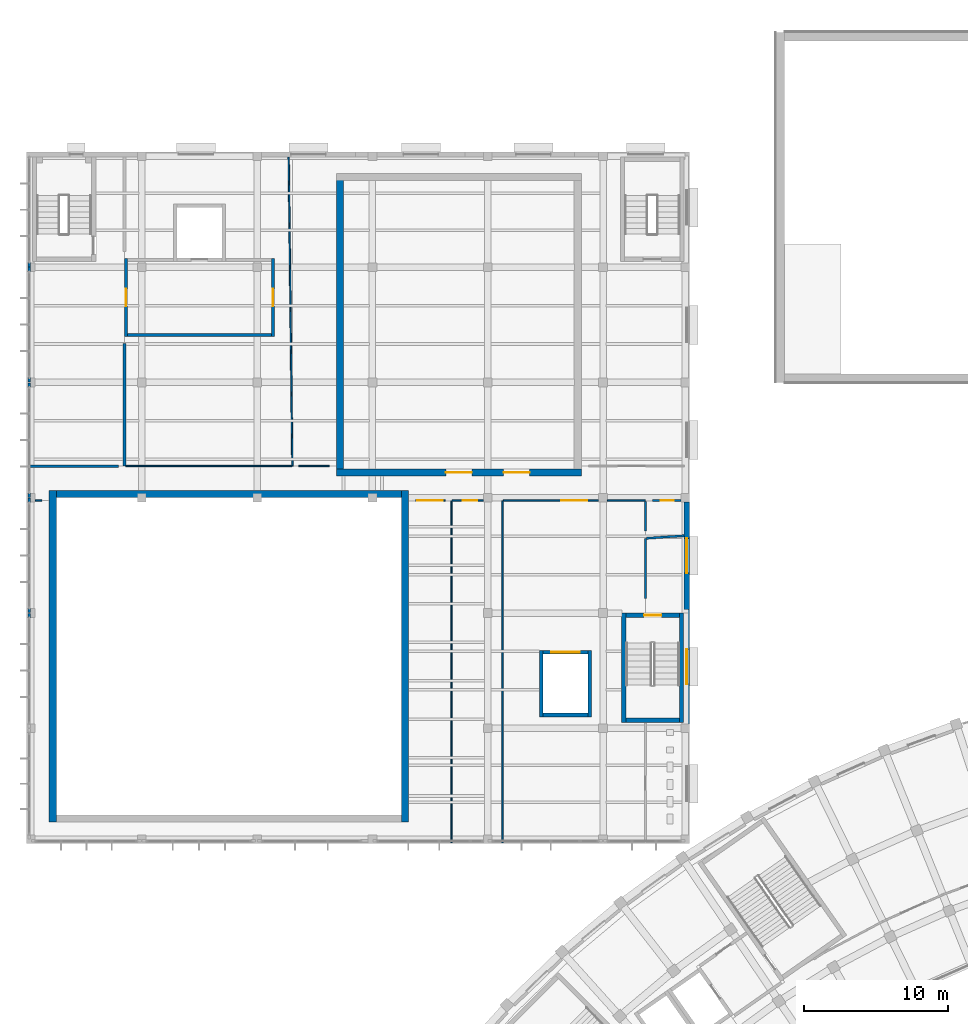
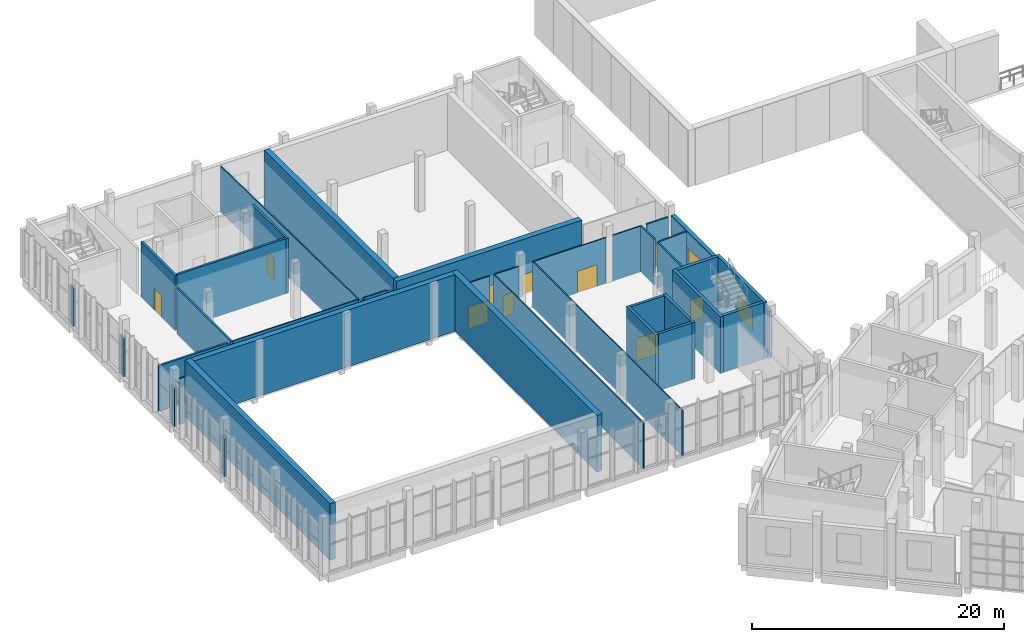
# One storey, part 57 of 112: 42 walls, 10 doors, 2 windows, 12 openings.
"""IFC4 building model written with IfcOpenShell, lengths in metres."""

from ifc_helpers import new_model, si_unit, direction, frame, frame_2d, origin, place, context, subcontext, project, spatial, rectangle, extrude, material, layer, layer_set, type_object, element, fill, save


model = new_model("IFC4")

# Units and contexts
model_context = context("Model", 3, precision=1e-05, world=origin(), true_north=direction((0.0, 1.0)))
body_context = subcontext(model_context, "Body", "Model", "MODEL_VIEW")
ifc_project = project(units=[si_unit("LENGTHUNIT", "METRE"), si_unit("AREAUNIT", "SQUARE_METRE"), si_unit("VOLUMEUNIT", "CUBIC_METRE"), si_unit("PLANEANGLEUNIT", "RADIAN"), si_unit("MASSUNIT", "GRAM", prefix="KILO")], contexts=[model_context])

# Site, building, storey
site_placement = place(None, origin())
site = spatial("IfcSite", under=ifc_project, at=site_placement, CompositionType="ELEMENT")
building_placement = place(site_placement, origin())
building = spatial("IfcBuilding", under=site, at=building_placement, Name="Lunette Opera House", CompositionType="ELEMENT")
storey_placement = place(building_placement, frame((0.0, 0.0, 6.0)))
storey = spatial("IfcBuildingStorey", under=building, at=storey_placement, Name="L01", CompositionType="ELEMENT", Elevation=6.0)

# Walls
ifc_material_1 = material(Name="Plastered clay blockwork", Category="masonry")
ifc_layer_1 = layer(ifc_material_1, 0.175048828125)
ifc_layer_set_1 = layer_set([ifc_layer_1], Name="Plastered clay blockwork")
wall_type_1 = type_object("IfcWallType", Name="ACOUSTIC BLOCK PARTITION 175", PredefinedType="PARTITIONING", material=ifc_layer_set_1)
wall_1_placement = place(storey_placement, frame((14.7939453125, 98.699951171875, 0.0), z_axis=(0.0, 0.0, 1.0), x_axis=(0.0, -1.0, 0.0)))
element("IfcWall", 1, at=wall_1_placement, inside=storey, type_object=wall_type_1, Name="Partition Ballet Studio 3", PredefinedType="PARTITIONING", context=body_context, shape_type="SweptSolid", body=[
    extrude(rectangle(XDim=8.5, YDim=0.175048828125, at=frame_2d((4.25, 0.0))), origin(), (0.0, 0.0, 1.0), 4.449951171875),
])
wall_2_placement = place(storey_placement, frame((14.382080078125, 90.199951171875, 0.0), z_axis=(0.0, 0.0, 1.0), x_axis=(-1.0, 0.0, 0.0)))
element("IfcWall", 2, at=wall_2_placement, inside=storey, type_object=wall_type_1, Name="Partition Corridor L01 Rehearsal", PredefinedType="PARTITIONING", context=body_context, shape_type="SweptSolid", body=[
    extrude(rectangle(XDim=6.33203125, YDim=0.175048828125, at=frame_2d((3.166015625, 0.0))), origin(), (0.0, 0.0, 1.0), 4.449951171875),
])
ifc_material_2 = material(Name="Plastered clay blockwork", Category="masonry")
ifc_layer_2 = layer(ifc_material_2, 0.14990234375)
ifc_layer_set_2 = layer_set([ifc_layer_2], Name="Plastered clay blockwork")
wall_type_2 = type_object("IfcWallType", Name="BLOCK PARTITION 150", PredefinedType="PARTITIONING", material=ifc_layer_set_2)
wall_3_placement = place(storey_placement, frame((50.94189453125, 85.18310546875, 0.0), z_axis=(0.0, 0.0, 1.0), x_axis=(0.0, -1.0, 0.0)))
element("IfcWall", 3, at=wall_3_placement, inside=storey, type_object=wall_type_2, Name="Partition Artists' WC", PredefinedType="PARTITIONING", context=body_context, shape_type="SweptSolid", body=[
    extrude(rectangle(XDim=4.18212890625, YDim=0.14990234375, at=frame_2d((2.091064453125, 0.0))), origin(), (0.0, 0.0, 1.0), 4.449951171875),
])
wall_4_placement = place(storey_placement, frame((53.635009765625, 85.366943359375, 0.0), z_axis=(0.0, 0.0, 1.0), x_axis=(-0.997541627846, -0.070076391993, 0.0)))
element("IfcWall", 4, at=wall_4_placement, inside=storey, type_object=wall_type_2, Name="Partition Artists' WC", PredefinedType="PARTITIONING", context=body_context, shape_type="SweptSolid", body=[
    extrude(rectangle(XDim=2.623291015625, YDim=0.14990234375, at=frame_2d((1.3115234375, 0.0))), origin(), (0.0, 0.0, 1.0), 4.449951171875),
])

# Wall, opening, door
wall_5_placement = place(storey_placement, frame((53.39990234375, 87.800048828125, 0.0), z_axis=(0.0, 0.0, 1.0), x_axis=(-1.0, 0.0, 0.0)))
wall_5 = element("IfcWall", 5, at=wall_5_placement, inside=storey, type_object=wall_type_2, Name="Partition Accessible WC L01 Rehearsal", PredefinedType="PARTITIONING", context=body_context, shape_type="SweptSolid", body=[
    extrude(rectangle(XDim=1.9580078125, YDim=0.14990234375, at=frame_2d((0.97900390625, 0.0))), origin(), (0.0, 0.0, 1.0), 4.449951171875),
])
opening_1_placement = place(wall_5_placement, frame((0.47900390625, 0.0, 0.0)))
opening_1 = element("IfcOpeningElement", 6, at=opening_1_placement, cuts=wall_5, Name="Opening RW-D3025", PredefinedType="OPENING", context=body_context, shape_type="SweptSolid", body=[
    extrude(rectangle(XDim=0.89990234375, YDim=2.10009765625, at=frame_2d((0.449951171875, 1.050048828125))), frame((0.0, 0.0869140625, 0.0), z_axis=(0.0, -1.0, 0.0), x_axis=(1.0, 0.0, 0.0)), (0.0, 0.0, 1.0), 0.173828125),
])
ifc_material_3 = material(Name="Timber", Category="wood")
door_type_1 = type_object("IfcDoorType", Name="FLUSH DOOR 900 X 2100", OperationType="SINGLE_SWING_LEFT", PredefinedType="DOOR", material=ifc_material_3)
door_1_placement = place(opening_1_placement, origin())
door_1 = element("IfcDoor", 7, at=door_1_placement, inside=storey, type_object=door_type_1, Name="Accessible WC L01 Rehearsal door", OperationType="SINGLE_SWING_LEFT", OverallHeight=2.10009765625, OverallWidth=0.89990234375, PredefinedType="DOOR", context=body_context, shape_type="SweptSolid", body=[
    extrude(rectangle(XDim=0.89990234375, YDim=2.10009765625, at=frame_2d((0.449951171875, 1.050048828125))), frame((0.0, 0.02490234375, 0.0), z_axis=(0.0, -1.0, 0.0), x_axis=(1.0, 0.0, 0.0)), (0.0, 0.0, 1.0), 0.050048828125),
])
fill(opening_1, door_1)

# Walls
wall_6_placement = place(storey_placement, frame((50.94189453125, 87.7490234375, 0.0), z_axis=(0.0, 0.0, 1.0), x_axis=(0.0, -1.0, 0.0)))
element("IfcWall", 8, at=wall_6_placement, inside=storey, type_object=wall_type_2, Name="Partition Accessible WC L01 Rehearsal", PredefinedType="PARTITIONING", context=body_context, shape_type="SweptSolid", body=[
    extrude(rectangle(XDim=2.06591796875, YDim=0.14990234375, at=frame_2d((1.032958984375, 0.0))), origin(), (0.0, 0.0, 1.0), 4.449951171875),
])
ifc_material_4 = material(Name="Insulated aluminium sandwich panel", Category="aluminium")
ifc_layer_3 = layer(ifc_material_4, 0.179931640625)
ifc_layer_set_3 = layer_set([ifc_layer_3], Name="Insulated aluminium sandwich panel")
wall_type_3 = type_object("IfcWallType", Name="CURTAIN WALL INFILL 180", PredefinedType="SOLIDWALL", material=ifc_layer_set_3)
for number, where, z_axis, x_axis, name in (
    (9, (8.181884765625, 104.330078125, 0.0), (0.0, 0.0, 1.0), (0.0, -1.0, 0.0), "Curtain Wall Infill 180 IN37 L01"),
    (10, (8.181884765625, 96.330078125, 0.0), (0.0, 0.0, 1.0), (0.0, -1.0, 0.0), "Curtain Wall Infill 180 IN38 L01"),
):
    element("IfcWall", number, at=place(storey_placement, frame(where, z_axis=z_axis, x_axis=x_axis)), inside=storey, type_object=wall_type_3, Name=name, PredefinedType="SOLIDWALL", context=body_context, shape_type="SweptSolid", body=[
        extrude(rectangle(XDim=0.30517578125, YDim=0.179931640625, at=frame_2d((0.152587890625, 0.0))), origin(), (0.0, 0.0, 1.0), 3.699951171875),
    ])
wall_7_placement = place(storey_placement, frame((8.181884765625, 103.696044921875, 0.0), z_axis=(0.0, 0.0, 1.0), x_axis=(0.0, 1.0, 0.0)))
element("IfcWall", 11, at=wall_7_placement, inside=storey, type_object=wall_type_3, Name="Curtain Wall Infill 180 IN39 L01", PredefinedType="SOLIDWALL", context=body_context, shape_type="SweptSolid", body=[
    extrude(rectangle(XDim=0.304931640625, YDim=0.179931640625, at=frame_2d((0.15234375, 0.0))), origin(), (0.0, 0.0, 1.0), 3.699951171875),
])
for number, where, z_axis, x_axis, name in (
    (12, (8.181884765625, 88.330078125, 0.0), (0.0, 0.0, 1.0), (0.0, -1.0, 0.0), "Curtain Wall Infill 180 IN40 L01"),
    (13, (8.181884765625, 95.669921875, 0.0), (0.0, 0.0, 1.0), (0.0, 1.0, 0.0), "Curtain Wall Infill 180 IN41 L01"),
    (14, (8.181884765625, 80.330078125, 0.0), (0.0, 0.0, 1.0), (0.0, -1.0, 0.0), "Curtain Wall Infill 180 IN42 L01"),
    (15, (8.181884765625, 87.669921875, 0.0), (0.0, 0.0, 1.0), (0.0, 1.0, 0.0), "Curtain Wall Infill 180 IN43 L01"),
    (16, (8.181884765625, 79.669921875, 0.0), (0.0, 0.0, 1.0), (0.0, 1.0, 0.0), "Curtain Wall Infill 180 IN45 L01"),
):
    element("IfcWall", number, at=place(storey_placement, frame(where, z_axis=z_axis, x_axis=x_axis)), inside=storey, type_object=wall_type_3, Name=name, PredefinedType="SOLIDWALL", context=body_context, shape_type="SweptSolid", body=[
        extrude(rectangle(XDim=0.30517578125, YDim=0.179931640625, at=frame_2d((0.152587890625, 0.0))), origin(), (0.0, 0.0, 1.0), 3.699951171875),
    ])

# Wall, opening, door
ifc_material_5 = material(Name="Concrete C35/45", Category="concrete")
ifc_layer_4 = layer(ifc_material_5, 0.199951171875)
ifc_layer_set_4 = layer_set([ifc_layer_4], Name="Concrete C35/45")
wall_type_4 = type_object("IfcWallType", Name="LOBBY WALL 200", PredefinedType="PARTITIONING", material=ifc_layer_set_4)
wall_8_placement = place(storey_placement, frame((25.10009765625, 99.199951171875, 0.0), z_axis=(0.0, 0.0, 1.0), x_axis=(0.0, 1.0, 0.0)))
wall_8 = element("IfcWall", 17, at=wall_8_placement, inside=storey, type_object=wall_type_4, Name="LL-R lobby wall 1a", PredefinedType="PARTITIONING", context=body_context, shape_type="SweptSolid", body=[
    extrude(rectangle(XDim=5.400146484375, YDim=0.199951171875, at=frame_2d((2.7001953125, 0.0))), origin(), (0.0, 0.0, 1.0), 5.35009765625),
])
opening_2_placement = place(wall_8_placement, frame((2.10009765625, 0.0, 0.0)))
opening_2 = element("IfcOpeningElement", 18, at=opening_2_placement, cuts=wall_8, Name="Opening RW-D7021", PredefinedType="OPENING", context=body_context, shape_type="SweptSolid", body=[
    extrude(rectangle(XDim=1.199951171875, YDim=2.10009765625, at=frame_2d((0.60009765625, 1.050048828125))), frame((0.0, 0.112060546875, 0.0), z_axis=(0.0, -1.0, 0.0), x_axis=(1.0, 0.0, 0.0)), (0.0, 0.0, 1.0), 0.223876953125),
])
ifc_material_6 = material(Name="Steel", Category="steel")
door_type_2 = type_object("IfcDoorType", Name="FIRE DOOR 1200 X 2100", OperationType="SINGLE_SWING_LEFT", PredefinedType="DOOR", material=ifc_material_6)
door_2_placement = place(opening_2_placement, origin())
door_2 = element("IfcDoor", 19, at=door_2_placement, inside=storey, type_object=door_type_2, Name="LL-R lobby door", OperationType="SINGLE_SWING_LEFT", OverallHeight=2.10009765625, OverallWidth=1.199951171875, PredefinedType="DOOR", context=body_context, shape_type="SweptSolid", body=[
    extrude(rectangle(XDim=1.199951171875, YDim=2.10009765625, at=frame_2d((0.60009765625, 1.050048828125))), frame((0.0, 0.02490234375, 0.0), z_axis=(0.0, -1.0, 0.0), x_axis=(1.0, 0.0, 0.0)), (0.0, 0.0, 1.0), 0.050048828125),
])
fill(opening_2, door_2)

wall_9_placement = place(storey_placement, frame((14.89990234375, 104.60009765625, 0.0), z_axis=(0.0, 0.0, 1.0), x_axis=(0.0, -1.0, 0.0)))
wall_9 = element("IfcWall", 20, at=wall_9_placement, inside=storey, type_object=wall_type_4, Name="LL-R lobby wall 3a", PredefinedType="PARTITIONING", context=body_context, shape_type="SweptSolid", body=[
    extrude(rectangle(XDim=5.400146484375, YDim=0.199951171875, at=frame_2d((2.7001953125, 0.0))), origin(), (0.0, 0.0, 1.0), 5.35009765625),
])
opening_3_placement = place(wall_9_placement, frame((2.10009765625, 0.0, 0.0)))
opening_3 = element("IfcOpeningElement", 21, at=opening_3_placement, cuts=wall_9, Name="Opening RW-D7022", PredefinedType="OPENING", context=body_context, shape_type="SweptSolid", body=[
    extrude(rectangle(XDim=1.199951171875, YDim=2.10009765625, at=frame_2d((0.60009765625, 1.050048828125))), frame((0.0, 0.112060546875, 0.0), z_axis=(0.0, -1.0, 0.0), x_axis=(1.0, 0.0, 0.0)), (0.0, 0.0, 1.0), 0.223876953125),
])
door_3_placement = place(opening_3_placement, origin())
door_3 = element("IfcDoor", 22, at=door_3_placement, inside=storey, type_object=door_type_2, Name="LL-R lobby door", OperationType="SINGLE_SWING_LEFT", OverallHeight=2.10009765625, OverallWidth=1.199951171875, PredefinedType="DOOR", context=body_context, shape_type="SweptSolid", body=[
    extrude(rectangle(XDim=1.199951171875, YDim=2.10009765625, at=frame_2d((0.60009765625, 1.050048828125))), frame((0.0, 0.02490234375, 0.0), z_axis=(0.0, -1.0, 0.0), x_axis=(1.0, 0.0, 0.0)), (0.0, 0.0, 1.0), 0.050048828125),
])
fill(opening_3, door_3)

# Walls
wall_10_placement = place(storey_placement, frame((15.0, 99.300048828125, 0.0), z_axis=(0.0, 0.0, 1.0), x_axis=(1.0, 0.0, 0.0)))
element("IfcWall", 23, at=wall_10_placement, inside=storey, type_object=wall_type_4, Name="LL-R lobby wall 4a", PredefinedType="PARTITIONING", context=body_context, shape_type="SweptSolid", body=[
    extrude(rectangle(XDim=10.0, YDim=0.199951171875, at=frame_2d((5.0, 0.0))), origin(), (0.0, 0.0, 1.0), 5.35009765625),
])
ifc_material_7 = material(Name="Concrete C35/45", Category="concrete")
ifc_layer_5 = layer(ifc_material_7, 0.25)
ifc_layer_set_5 = layer_set([ifc_layer_5], Name="Concrete C35/45")
wall_type_5 = type_object("IfcWallType", Name="RC LIFT SHAFT WALL 250", PredefinedType="SOLIDWALL", material=ifc_layer_set_5)
wall_11_placement = place(storey_placement, frame((47.074951171875, 72.800048828125, 0.0), z_axis=(0.0, 0.0, 1.0), x_axis=(0.0, 1.0, 0.0)))
element("IfcWall", 24, at=wall_11_placement, inside=storey, type_object=wall_type_5, Name="LG1 shaft wall 1", PredefinedType="SOLIDWALL", context=body_context, shape_type="SweptSolid", body=[
    extrude(rectangle(XDim=4.599853515625, YDim=0.25, at=frame_2d((2.2998046875, 0.0))), origin(), (0.0, 0.0, 1.0), 5.5),
])

# Wall, opening, door
wall_12_placement = place(storey_placement, frame((46.949951171875, 77.27490234375, 0.0), z_axis=(0.0, 0.0, 1.0), x_axis=(-1.0, 0.0, 0.0)))
wall_12 = element("IfcWall", 25, at=wall_12_placement, inside=storey, type_object=wall_type_5, Name="LG1 shaft wall 2", PredefinedType="SOLIDWALL", context=body_context, shape_type="SweptSolid", body=[
    extrude(rectangle(XDim=3.099853515625, YDim=0.25, at=frame_2d((1.5498046875, 0.0))), origin(), (0.0, 0.0, 1.0), 5.5),
])
opening_4_placement = place(wall_12_placement, frame((0.550048828125, 0.0, 0.0)))
opening_4 = element("IfcOpeningElement", 26, at=opening_4_placement, cuts=wall_12, Name="Opening RW-LD009", PredefinedType="OPENING", context=body_context, shape_type="SweptSolid", body=[
    extrude(rectangle(XDim=2.0, YDim=2.199951171875, at=frame_2d((1.0, 1.10009765625))), frame((0.0, 0.136962890625, 0.0), z_axis=(0.0, -1.0, 0.0), x_axis=(1.0, 0.0, 0.0)), (0.0, 0.0, 1.0), 0.27392578125),
])
ifc_material_8 = material(Name="Stainless steel", Category="steel")
door_type_3 = type_object("IfcDoorType", Name="LIFT LANDING DOOR 2000 X 2200", OperationType="DOUBLE_DOOR_SLIDING", PredefinedType="DOOR", material=ifc_material_8)
door_4_placement = place(opening_4_placement, origin())
door_4 = element("IfcDoor", 27, at=door_4_placement, inside=storey, type_object=door_type_3, Name="LG1 lift landing door", OperationType="DOUBLE_DOOR_SLIDING", OverallHeight=2.199951171875, OverallWidth=2.0, PredefinedType="DOOR", context=body_context, shape_type="SweptSolid", body=[
    extrude(rectangle(XDim=2.0, YDim=2.199951171875, at=frame_2d((1.0, 1.10009765625))), frame((0.0, 0.02490234375, 0.0), z_axis=(0.0, -1.0, 0.0), x_axis=(1.0, 0.0, 0.0)), (0.0, 0.0, 1.0), 0.050048828125),
])
fill(opening_4, door_4)

# Walls
wall_13_placement = place(storey_placement, frame((43.72509765625, 77.39990234375, 0.0), z_axis=(0.0, 0.0, 1.0), x_axis=(0.0, -1.0, 0.0)))
element("IfcWall", 28, at=wall_13_placement, inside=storey, type_object=wall_type_5, Name="LG1 shaft wall 3", PredefinedType="SOLIDWALL", context=body_context, shape_type="SweptSolid", body=[
    extrude(rectangle(XDim=4.599853515625, YDim=0.25, at=frame_2d((2.2998046875, 0.0))), origin(), (0.0, 0.0, 1.0), 5.5),
])
wall_14_placement = place(storey_placement, frame((43.85009765625, 72.925048828125, 0.0), z_axis=(0.0, 0.0, 1.0), x_axis=(1.0, 0.0, 0.0)))
element("IfcWall", 29, at=wall_14_placement, inside=storey, type_object=wall_type_5, Name="LG1 shaft wall 4", PredefinedType="SOLIDWALL", context=body_context, shape_type="SweptSolid", body=[
    extrude(rectangle(XDim=3.099853515625, YDim=0.25, at=frame_2d((1.5498046875, 0.0))), origin(), (0.0, 0.0, 1.0), 5.5),
])
ifc_material_9 = material(Name="Concrete C35/45", Category="concrete")
ifc_layer_6 = layer(ifc_material_9, 0.300048828125)
ifc_layer_set_6 = layer_set([ifc_layer_6], Name="Concrete C35/45")
wall_type_6 = type_object("IfcWallType", Name="RC STAIR ENCLOSURE WALL 300", PredefinedType="SOLIDWALL", material=ifc_layer_set_6)
wall_15_placement = place(storey_placement, frame((53.449951171875, 72.39990234375, 0.0), z_axis=(0.0, 0.0, 1.0), x_axis=(0.0, 1.0, 0.0)))
element("IfcWall", 30, at=wall_15_placement, inside=storey, type_object=wall_type_6, Name="ST16 enclosure wall 1", PredefinedType="SOLIDWALL", context=body_context, shape_type="SweptSolid", body=[
    extrude(rectangle(XDim=7.60009765625, YDim=0.300048828125, at=frame_2d((3.800048828125, 0.0))), origin(), (0.0, 0.0, 1.0), 5.5),
])

# Wall, opening, door
wall_16_placement = place(storey_placement, frame((53.300048828125, 79.85009765625, 0.0), z_axis=(0.0, 0.0, 1.0), x_axis=(-1.0, 0.0, 0.0)))
wall_16 = element("IfcWall", 31, at=wall_16_placement, inside=storey, type_object=wall_type_6, Name="ST16 enclosure wall 2", PredefinedType="SOLIDWALL", context=body_context, shape_type="SweptSolid", body=[
    extrude(rectangle(XDim=3.699951171875, YDim=0.300048828125, at=frame_2d((1.85009765625, 0.0))), origin(), (0.0, 0.0, 1.0), 5.5),
])
opening_5_placement = place(wall_16_placement, frame((1.25, 0.0, 0.0)))
opening_5 = element("IfcOpeningElement", 32, at=opening_5_placement, cuts=wall_16, Name="Opening RW-D7009", PredefinedType="OPENING", context=body_context, shape_type="SweptSolid", body=[
    extrude(rectangle(XDim=1.199951171875, YDim=2.10009765625, at=frame_2d((0.60009765625, 1.050048828125))), frame((0.0, 0.162109375, 0.0), z_axis=(0.0, -1.0, 0.0), x_axis=(1.0, 0.0, 0.0)), (0.0, 0.0, 1.0), 0.323974609375),
])
door_5_placement = place(opening_5_placement, origin())
door_5 = element("IfcDoor", 33, at=door_5_placement, inside=storey, type_object=door_type_2, Name="ST16 stair door", OperationType="SINGLE_SWING_LEFT", OverallHeight=2.10009765625, OverallWidth=1.199951171875, PredefinedType="DOOR", context=body_context, shape_type="SweptSolid", body=[
    extrude(rectangle(XDim=1.199951171875, YDim=2.10009765625, at=frame_2d((0.60009765625, 1.050048828125))), frame((0.0, 0.02490234375, 0.0), z_axis=(0.0, -1.0, 0.0), x_axis=(1.0, 0.0, 0.0)), (0.0, 0.0, 1.0), 0.050048828125),
])
fill(opening_5, door_5)

# Walls
wall_17_placement = place(storey_placement, frame((49.449951171875, 80.0, 0.0), z_axis=(0.0, 0.0, 1.0), x_axis=(0.0, -1.0, 0.0)))
element("IfcWall", 34, at=wall_17_placement, inside=storey, type_object=wall_type_6, Name="ST16 enclosure wall 3", PredefinedType="SOLIDWALL", context=body_context, shape_type="SweptSolid", body=[
    extrude(rectangle(XDim=7.60009765625, YDim=0.300048828125, at=frame_2d((3.800048828125, 0.0))), origin(), (0.0, 0.0, 1.0), 5.5),
])
wall_18_placement = place(storey_placement, frame((49.60009765625, 72.550048828125, 0.0), z_axis=(0.0, 0.0, 1.0), x_axis=(1.0, 0.0, 0.0)))
element("IfcWall", 35, at=wall_18_placement, inside=storey, type_object=wall_type_6, Name="ST16 enclosure wall 4", PredefinedType="SOLIDWALL", context=body_context, shape_type="SweptSolid", body=[
    extrude(rectangle(XDim=3.699951171875, YDim=0.300048828125, at=frame_2d((1.85009765625, 0.0))), origin(), (0.0, 0.0, 1.0), 5.5),
])

# Wall, openings, doors
ifc_material_10 = material(Name="Concrete C35/45", Category="concrete")
ifc_layer_7 = layer(ifc_material_10, 0.5)
ifc_layer_set_7 = layer_set([ifc_layer_7], Name="Concrete C35/45")
wall_type_7 = type_object("IfcWallType", Name="RC WALL 500", PredefinedType="SHEAR", material=ifc_layer_set_7)
wall_19_placement = place(storey_placement, frame((29.5, 89.75, 0.0), z_axis=(0.0, 0.0, 1.0), x_axis=(1.0, 0.0, 0.0)))
wall_19 = element("IfcWall", 36, at=wall_19_placement, inside=storey, type_object=wall_type_7, Name="wall-RW-L01-OH-S-1", PredefinedType="SHEAR", context=body_context, shape_type="SweptSolid", body=[
    extrude(rectangle(XDim=17.0, YDim=0.5, at=frame_2d((8.5, 0.0))), origin(), (0.0, 0.0, 1.0), 5.5),
])
opening_6_placement = place(wall_19_placement, frame((7.60009765625, 0.0, 0.0)))
opening_6 = element("IfcOpeningElement", 37, at=opening_6_placement, cuts=wall_19, Name="Opening RW-D3026", PredefinedType="OPENING", context=body_context, shape_type="SweptSolid", body=[
    extrude(rectangle(XDim=1.800048828125, YDim=2.10009765625, at=frame_2d((0.89990234375, 1.050048828125))), frame((0.0, 0.261962890625, 0.0), z_axis=(0.0, -1.0, 0.0), x_axis=(1.0, 0.0, 0.0)), (0.0, 0.0, 1.0), 0.52392578125),
])
opening_7_placement = place(wall_19_placement, frame((11.60009765625, 0.0, 0.0)))
opening_7 = element("IfcOpeningElement", 38, at=opening_7_placement, cuts=wall_19, Name="Opening RW-D3027", PredefinedType="OPENING", context=body_context, shape_type="SweptSolid", body=[
    extrude(rectangle(XDim=1.800048828125, YDim=2.10009765625, at=frame_2d((0.89990234375, 1.050048828125))), frame((0.0, 0.261962890625, 0.0), z_axis=(0.0, -1.0, 0.0), x_axis=(1.0, 0.0, 0.0)), (0.0, 0.0, 1.0), 0.52392578125),
])
ifc_material_11 = material(Name="Timber", Category="wood")
door_type_4 = type_object("IfcDoorType", Name="DOUBLE FLUSH DOOR 1800 X 2100", OperationType="DOUBLE_DOOR_SINGLE_SWING", PredefinedType="DOOR", material=ifc_material_11)
door_6_placement = place(opening_6_placement, origin())
door_6 = element("IfcDoor", 39, at=door_6_placement, inside=storey, type_object=door_type_4, Name="Orchestra Rehearsal Hall door", OperationType="DOUBLE_DOOR_SINGLE_SWING", OverallHeight=2.10009765625, OverallWidth=1.800048828125, PredefinedType="DOOR", context=body_context, shape_type="SweptSolid", body=[
    extrude(rectangle(XDim=1.800048828125, YDim=2.10009765625, at=frame_2d((0.89990234375, 1.050048828125))), frame((0.0, 0.02490234375, 0.0), z_axis=(0.0, -1.0, 0.0), x_axis=(1.0, 0.0, 0.0)), (0.0, 0.0, 1.0), 0.050048828125),
])
fill(opening_6, door_6)
door_7_placement = place(opening_7_placement, origin())
door_7 = element("IfcDoor", 40, at=door_7_placement, inside=storey, type_object=door_type_4, Name="Orchestra Rehearsal Hall door", OperationType="DOUBLE_DOOR_SINGLE_SWING", OverallHeight=2.10009765625, OverallWidth=1.800048828125, PredefinedType="DOOR", context=body_context, shape_type="SweptSolid", body=[
    extrude(rectangle(XDim=1.800048828125, YDim=2.10009765625, at=frame_2d((0.89990234375, 1.050048828125))), frame((0.0, 0.02490234375, 0.0), z_axis=(0.0, -1.0, 0.0), x_axis=(1.0, 0.0, 0.0)), (0.0, 0.0, 1.0), 0.050048828125),
])
fill(opening_7, door_7)

# Walls
wall_20_placement = place(storey_placement, frame((29.75, 89.5, 0.0), z_axis=(0.0, 0.0, 1.0), x_axis=(0.0, 1.0, 0.0)))
element("IfcWall", 41, at=wall_20_placement, inside=storey, type_object=wall_type_7, Name="wall-RW-L01-OH-W-1", PredefinedType="SHEAR", context=body_context, shape_type="SweptSolid", body=[
    extrude(rectangle(XDim=21.0, YDim=0.5, at=frame_2d((10.5, 0.0))), origin(), (0.0, 0.0, 1.0), 5.5),
])
wall_21_placement = place(storey_placement, frame((9.56005859375, 88.25, 0.0), z_axis=(0.0, 0.0, 1.0), x_axis=(1.0, 0.0, 0.0)))
element("IfcWall", 42, at=wall_21_placement, inside=storey, type_object=wall_type_7, Name="wall-RW-L01-HW-N-1", PredefinedType="SHEAR", context=body_context, shape_type="SweptSolid", body=[
    extrude(rectangle(XDim=24.93994140625, YDim=0.5, at=frame_2d((12.469970703125, 0.0))), origin(), (0.0, 0.0, 1.0), 5.5),
])
for number, where, z_axis, x_axis, name in (
    (43, (9.81005859375, 65.5, 0.0), (0.0, 0.0, 1.0), (0.0, 1.0, 0.0), "wall-RW-L01-HW-W-1"),
    (44, (34.25, 65.5, 0.0), (0.0, 0.0, 1.0), (0.0, 1.0, 0.0), "wall-RW-L01-HW-E-1"),
):
    element("IfcWall", number, at=place(storey_placement, frame(where, z_axis=z_axis, x_axis=x_axis)), inside=storey, type_object=wall_type_7, Name=name, PredefinedType="SHEAR", context=body_context, shape_type="SweptSolid", body=[
        extrude(rectangle(XDim=23.0, YDim=0.5, at=frame_2d((11.5, 0.0))), origin(), (0.0, 0.0, 1.0), 5.5),
    ])

# Wall, opening, window
ifc_material_12 = material(Name="Clinker brick", Category="masonry")
ifc_layer_8 = layer(ifc_material_12, 0.364990234375)
ifc_layer_set_8 = layer_set([ifc_layer_8], Name="Clinker brick")
wall_type_8 = type_object("IfcWallType", Name="REHEARSAL BRICK WALL 365", PredefinedType="SOLIDWALL", material=ifc_layer_set_8)
wall_22_placement = place(storey_placement, frame((53.818115234375, 72.303955078125, 0.0), z_axis=(0.0, 0.0, 1.0), x_axis=(0.0, 1.0, 0.0)))
wall_22 = element("IfcWall", 45, at=wall_22_placement, inside=storey, type_object=wall_type_8, Name="Rehearsal Brick Wall 365 F02 L01", PredefinedType="SOLIDWALL", context=body_context, shape_type="SweptSolid", body=[
    extrude(rectangle(XDim=7.93896484375, YDim=0.364990234375, at=frame_2d((3.969482421875, 0.0))), origin(), (0.0, 0.0, 1.0), 4.550048828125),
])
opening_8_placement = place(wall_22_placement, frame((2.76904296875, 0.0, 1.0)))
opening_8 = element("IfcOpeningElement", 46, at=opening_8_placement, cuts=wall_22, Name="Opening RW-N2014", PredefinedType="OPENING", context=body_context, shape_type="SweptSolid", body=[
    extrude(rectangle(XDim=2.39990234375, YDim=2.0, at=frame_2d((1.199951171875, 1.0))), frame((0.0, 0.194580078125, 0.0), z_axis=(0.0, -1.0, 0.0), x_axis=(1.0, 0.0, 0.0)), (0.0, 0.0, 1.0), 0.388916015625),
])
ifc_material_13 = material(Name="Aluminium", Category="aluminium")
window_type = type_object("IfcWindowType", Name="REHEARSAL WINDOW 2400 X 2000", PartitioningType="DOUBLE_PANEL_VERTICAL", PredefinedType="WINDOW", material=ifc_material_13)
window_1_placement = place(opening_8_placement, origin())
window_1 = element("IfcWindow", 47, at=window_1_placement, inside=storey, type_object=window_type, Name="Rehearsal Window 2400 X 2000 F02 L01", OverallHeight=2.0, OverallWidth=2.39990234375, PartitioningType="DOUBLE_PANEL_VERTICAL", PredefinedType="WINDOW", context=body_context, shape_type="SweptSolid", body=[
    extrude(rectangle(XDim=2.39990234375, YDim=2.0, at=frame_2d((1.199951171875, 1.0))), frame((0.0, 0.030029296875, 0.0), z_axis=(0.0, -1.0, 0.0), x_axis=(1.0, 0.0, 0.0)), (0.0, 0.0, 1.0), 0.06005859375),
])
fill(opening_8, window_1)

wall_23_placement = place(storey_placement, frame((53.818115234375, 80.242919921875, 0.0), z_axis=(0.0, 0.0, 1.0), x_axis=(0.0, 1.0, 0.0)))
wall_23 = element("IfcWall", 48, at=wall_23_placement, inside=storey, type_object=wall_type_8, Name="Rehearsal Brick Wall 365 F03 L01", PredefinedType="SOLIDWALL", context=body_context, shape_type="SweptSolid", body=[
    extrude(rectangle(XDim=7.45703125, YDim=0.364990234375, at=frame_2d((3.728515625, 0.0))), origin(), (0.0, 0.0, 1.0), 4.550048828125),
])
opening_9_placement = place(wall_23_placement, frame((2.529052734375, 0.0, 1.0)))
opening_9 = element("IfcOpeningElement", 49, at=opening_9_placement, cuts=wall_23, Name="Opening RW-N2015", PredefinedType="OPENING", context=body_context, shape_type="SweptSolid", body=[
    extrude(rectangle(XDim=2.39990234375, YDim=2.0, at=frame_2d((1.199951171875, 1.0))), frame((0.0, 0.194580078125, 0.0), z_axis=(0.0, -1.0, 0.0), x_axis=(1.0, 0.0, 0.0)), (0.0, 0.0, 1.0), 0.388916015625),
])
window_2_placement = place(opening_9_placement, origin())
window_2 = element("IfcWindow", 50, at=window_2_placement, inside=storey, type_object=window_type, Name="Rehearsal Window 2400 X 2000 F03 L01", OverallHeight=2.0, OverallWidth=2.39990234375, PartitioningType="DOUBLE_PANEL_VERTICAL", PredefinedType="WINDOW", context=body_context, shape_type="SweptSolid", body=[
    extrude(rectangle(XDim=2.39990234375, YDim=2.0, at=frame_2d((1.199951171875, 1.0))), frame((0.0, 0.030029296875, 0.0), z_axis=(0.0, -1.0, 0.0), x_axis=(1.0, 0.0, 0.0)), (0.0, 0.0, 1.0), 0.06005859375),
])
fill(opening_9, window_2)

# Walls
ifc_material_14 = material(Name="Gypsum board on steel studs", Category="steel")
ifc_layer_9 = layer(ifc_material_14, 0.10009765625)
ifc_layer_set_9 = layer_set([ifc_layer_9], Name="Gypsum board on steel studs")
wall_type_9 = type_object("IfcWallType", Name="STUD PARTITION 100", PredefinedType="PARTITIONING", material=ifc_layer_set_9)
for number, where, z_axis, x_axis, name in (
    (51, (37.48388671875, 87.800048828125, 0.0), (0.0, 0.0, 1.0), (0.0, -1.0, 0.0), "Partition Chorus Library"),
    (52, (41.037109375, 64.050048828125, 0.0), (0.0, 0.0, 1.0), (0.0, 1.0, 0.0), "Partition Chorus Library"),
):
    element("IfcWall", number, at=place(storey_placement, frame(where, z_axis=z_axis, x_axis=x_axis)), inside=storey, type_object=wall_type_9, Name=name, PredefinedType="PARTITIONING", context=body_context, shape_type="SweptSolid", body=[
        extrude(rectangle(XDim=23.75, YDim=0.10009765625, at=frame_2d((11.875, 0.0))), origin(), (0.0, 0.0, 1.0), 4.449951171875),
    ])
wall_24_placement = place(storey_placement, frame((26.18798828125, 111.634033203125, 0.0), z_axis=(0.0, 0.0, 1.0), x_axis=(0.011845080966, -0.999929844568, 0.0)))
element("IfcWall", 53, at=wall_24_placement, inside=storey, type_object=wall_type_9, Name="Partition Practice Room Block", PredefinedType="PARTITIONING", context=body_context, shape_type="SweptSolid", body=[
    extrude(rectangle(XDim=21.435546875, YDim=0.10009765625, at=frame_2d((10.7177734375, 0.0))), origin(), (0.0, 0.0, 1.0), 4.449951171875),
])
wall_25_placement = place(storey_placement, frame((26.39111328125, 90.199951171875, 0.0), z_axis=(0.0, 0.0, 1.0), x_axis=(-1.0, 0.0, 0.0)))
element("IfcWall", 54, at=wall_25_placement, inside=storey, type_object=wall_type_9, Name="Partition Corridor L01 Rehearsal", PredefinedType="PARTITIONING", context=body_context, shape_type="SweptSolid", body=[
    extrude(rectangle(XDim=11.509033203125, YDim=0.10009765625, at=frame_2d((5.75439453125, 0.0))), origin(), (0.0, 0.0, 1.0), 4.449951171875),
])

# Wall, opening, door
wall_26_placement = place(storey_placement, frame((41.0869140625, 87.800048828125, 0.0), z_axis=(0.0, 0.0, 1.0), x_axis=(1.0, 0.0, 0.0)))
wall_26 = element("IfcWall", 55, at=wall_26_placement, inside=storey, type_object=wall_type_9, Name="Partition Corridor L01 Rehearsal", PredefinedType="PARTITIONING", context=body_context, shape_type="SweptSolid", body=[
    extrude(rectangle(XDim=6.613037109375, YDim=0.10009765625, at=frame_2d((3.306640625, 0.0))), origin(), (0.0, 0.0, 1.0), 4.449951171875),
])
opening_10_placement = place(wall_26_placement, frame((4.001953125, 0.0, 0.0)))
opening_10 = element("IfcOpeningElement", 56, at=opening_10_placement, cuts=wall_26, Name="Opening RW-D3022", PredefinedType="OPENING", context=body_context, shape_type="SweptSolid", body=[
    extrude(rectangle(XDim=1.800048828125, YDim=2.10009765625, at=frame_2d((0.89990234375, 1.050048828125))), frame((0.0, 0.06201171875, 0.0), z_axis=(0.0, -1.0, 0.0), x_axis=(1.0, 0.0, 0.0)), (0.0, 0.0, 1.0), 0.1240234375),
])
door_8_placement = place(opening_10_placement, origin())
door_8 = element("IfcDoor", 57, at=door_8_placement, inside=storey, type_object=door_type_4, Name="Artists' Dressing Rooms door", OperationType="DOUBLE_DOOR_SINGLE_SWING", OverallHeight=2.10009765625, OverallWidth=1.800048828125, PredefinedType="DOOR", context=body_context, shape_type="SweptSolid", body=[
    extrude(rectangle(XDim=1.800048828125, YDim=2.10009765625, at=frame_2d((0.89990234375, 1.050048828125))), frame((0.0, 0.02490234375, 0.0), z_axis=(0.0, -1.0, 0.0), x_axis=(1.0, 0.0, 0.0)), (0.0, 0.0, 1.0), 0.050048828125),
])
fill(opening_10, door_8)

# Walls
wall_27_placement = place(storey_placement, frame((48.300048828125, 87.800048828125, 0.0), z_axis=(0.0, 0.0, 1.0), x_axis=(1.0, 0.0, 0.0)))
element("IfcWall", 58, at=wall_27_placement, inside=storey, type_object=wall_type_9, Name="Partition Corridor L01 Rehearsal", PredefinedType="PARTITIONING", context=body_context, shape_type="SweptSolid", body=[
    extrude(rectangle(XDim=2.641845703125, YDim=0.10009765625, at=frame_2d((1.32080078125, 0.0))), origin(), (0.0, 0.0, 1.0), 4.449951171875),
])
wall_28_placement = place(storey_placement, frame((29.0, 90.199951171875, 0.0), z_axis=(0.0, 0.0, 1.0), x_axis=(-1.0, 0.0, 0.0)))
element("IfcWall", 59, at=wall_28_placement, inside=storey, type_object=wall_type_9, Name="Partition Corridor L01 Rehearsal", PredefinedType="PARTITIONING", context=body_context, shape_type="SweptSolid", body=[
    extrude(rectangle(XDim=2.10888671875, YDim=0.10009765625, at=frame_2d((1.054443359375, 0.0))), origin(), (0.0, 0.0, 1.0), 4.449951171875),
])

# Wall, opening, door
wall_29_placement = place(storey_placement, frame((39.699951171875, 87.800048828125, 0.0), z_axis=(0.0, 0.0, 1.0), x_axis=(-1.0, 0.0, 0.0)))
wall_29 = element("IfcWall", 60, at=wall_29_placement, inside=storey, type_object=wall_type_9, Name="Partition Chorus Library", PredefinedType="PARTITIONING", context=body_context, shape_type="SweptSolid", body=[
    extrude(rectangle(XDim=2.1650390625, YDim=0.10009765625, at=frame_2d((1.08251953125, 0.0))), origin(), (0.0, 0.0, 1.0), 4.449951171875),
])
opening_11_placement = place(wall_29_placement, frame((0.43994140625, 0.0, 0.0)))
opening_11 = element("IfcOpeningElement", 61, at=opening_11_placement, cuts=wall_29, Name="Opening RW-D3021", PredefinedType="OPENING", context=body_context, shape_type="SweptSolid", body=[
    extrude(rectangle(XDim=1.0, YDim=2.10009765625, at=frame_2d((0.5, 1.050048828125))), frame((0.0, 0.06201171875, 0.0), z_axis=(0.0, -1.0, 0.0), x_axis=(1.0, 0.0, 0.0)), (0.0, 0.0, 1.0), 0.1240234375),
])
ifc_material_15 = material(Name="Timber", Category="wood")
door_type_5 = type_object("IfcDoorType", Name="FLUSH DOOR 1000 X 2100", OperationType="SINGLE_SWING_LEFT", PredefinedType="DOOR", material=ifc_material_15)
door_9_placement = place(opening_11_placement, origin())
door_9 = element("IfcDoor", 62, at=door_9_placement, inside=storey, type_object=door_type_5, Name="Chorus Library door", OperationType="SINGLE_SWING_LEFT", OverallHeight=2.10009765625, OverallWidth=1.0, PredefinedType="DOOR", context=body_context, shape_type="SweptSolid", body=[
    extrude(rectangle(XDim=1.0, YDim=2.10009765625, at=frame_2d((0.5, 1.050048828125))), frame((0.0, 0.02490234375, 0.0), z_axis=(0.0, -1.0, 0.0), x_axis=(1.0, 0.0, 0.0)), (0.0, 0.0, 1.0), 0.050048828125),
])
fill(opening_11, door_9)

wall_30_placement = place(storey_placement, frame((35.0, 87.800048828125, 0.0), z_axis=(0.0, 0.0, 1.0), x_axis=(1.0, 0.0, 0.0)))
wall_30 = element("IfcWall", 63, at=wall_30_placement, inside=storey, type_object=wall_type_9, Name="Partition Corridor L01 Rehearsal", PredefinedType="PARTITIONING", context=body_context, shape_type="SweptSolid", body=[
    extrude(rectangle(XDim=2.034912109375, YDim=0.10009765625, at=frame_2d((1.017578125, 0.0))), origin(), (0.0, 0.0, 1.0), 4.449951171875),
])
opening_12_placement = place(wall_30_placement, frame((0.092041015625, 0.0, 0.0)))
opening_12 = element("IfcOpeningElement", 64, at=opening_12_placement, cuts=wall_30, Name="Opening RW-D3020", PredefinedType="OPENING", context=body_context, shape_type="SweptSolid", body=[
    extrude(rectangle(XDim=1.800048828125, YDim=2.10009765625, at=frame_2d((0.89990234375, 1.050048828125))), frame((0.0, 0.06201171875, 0.0), z_axis=(0.0, -1.0, 0.0), x_axis=(1.0, 0.0, 0.0)), (0.0, 0.0, 1.0), 0.1240234375),
])
door_10_placement = place(opening_12_placement, origin())
door_10 = element("IfcDoor", 65, at=door_10_placement, inside=storey, type_object=door_type_4, Name="Ballet Studio 2 door", OperationType="DOUBLE_DOOR_SINGLE_SWING", OverallHeight=2.10009765625, OverallWidth=1.800048828125, PredefinedType="DOOR", context=body_context, shape_type="SweptSolid", body=[
    extrude(rectangle(XDim=1.800048828125, YDim=2.10009765625, at=frame_2d((0.89990234375, 1.050048828125))), frame((0.0, 0.02490234375, 0.0), z_axis=(0.0, -1.0, 0.0), x_axis=(1.0, 0.0, 0.0)), (0.0, 0.0, 1.0), 0.050048828125),
])
fill(opening_12, door_10)

# Wall
wall_31_placement = place(storey_placement, frame((8.60107421875, 87.800048828125, 0.0), z_axis=(0.0, 0.0, 1.0), x_axis=(1.0, 0.0, 0.0)))
element("IfcWall", 66, at=wall_31_placement, inside=storey, type_object=wall_type_9, Name="Partition Corridor L01 Rehearsal", PredefinedType="PARTITIONING", context=body_context, shape_type="SweptSolid", body=[
    extrude(rectangle(XDim=0.458984375, YDim=0.10009765625, at=frame_2d((0.2294921875, 0.0))), origin(), (0.0, 0.0, 1.0), 4.449951171875),
])

save(model, "model.ifc")
